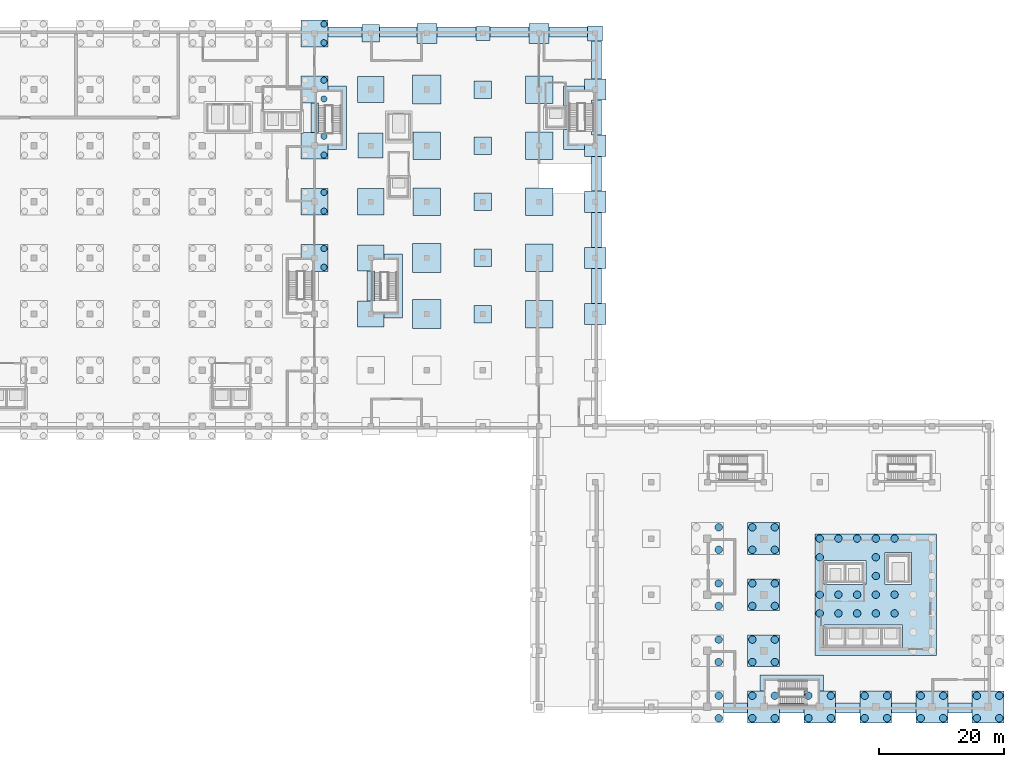
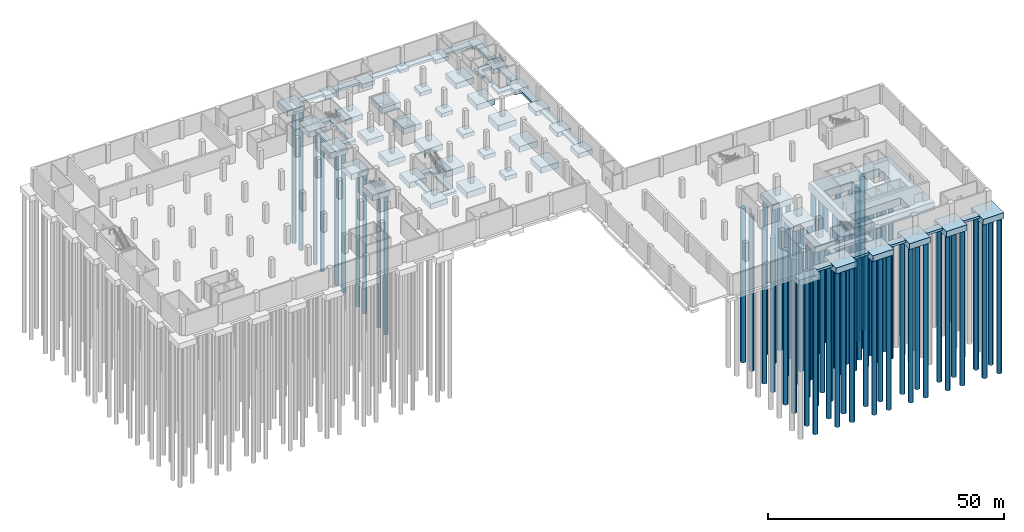
# One storey, part 3 of 17: 68 piles, 65 footings.
"""IFC4 building model written with IfcOpenShell, lengths in metres."""

from ifc_helpers import new_model, si_unit, direction, frame, origin, origin_2d, place, context, subcontext, project, spatial, polyline, rectangle, circle, outline, extrude, material, material_profile, profile_set, type_object, element, save


model = new_model("IFC4")

# Units and contexts
model_context = context("Model", 3, precision=1e-05, world=origin(), true_north=direction((0.0, 1.0)))
body_context = subcontext(model_context, "Body", "Model", "MODEL_VIEW")
ifc_project = project(units=[si_unit("LENGTHUNIT", "METRE"), si_unit("AREAUNIT", "SQUARE_METRE"), si_unit("VOLUMEUNIT", "CUBIC_METRE"), si_unit("PLANEANGLEUNIT", "RADIAN"), si_unit("MASSUNIT", "GRAM", prefix="KILO")], contexts=[model_context])

# Site, building, storey
site_placement = place(None, origin())
site = spatial("IfcSite", under=ifc_project, at=site_placement, CompositionType="ELEMENT")
building_placement = place(site_placement, origin())
building = spatial("IfcBuilding", under=site, at=building_placement, Name="Guidao Yard Department Store", CompositionType="ELEMENT")
storey_placement = place(building_placement, frame((0.0, 0.0, -9.89990234375)))
storey = spatial("IfcBuildingStorey", under=building, at=storey_placement, Name="B2", CompositionType="ELEMENT", Elevation=-9.89990234375)

# Piles
ifc_material_1 = material(Name="Concrete C40", Category="concrete")
ifc_material_profile_1 = material_profile(ifc_material_1, circle(Radius=0.5, at=origin_2d()), Name="Bored pile D1000")
ifc_profile_set_1 = profile_set([ifc_material_profile_1], Name="Concrete C40")
pile_type_1 = type_object("IfcPileType", Name="Bored pile D1000", PredefinedType="BORED", material=ifc_profile_set_1)
for number, where, z_axis, x_axis, name in (
    (1, (64.5, 70.5, -2.0), (0.0, 0.0, -1.0), (1.0, 0.0, 0.0), "Bored pile 8/J-2"),
    (2, (64.5, 73.5, -2.0), (0.0, 0.0, -1.0), (1.0, 0.0, 0.0), "Bored pile 8/J-4"),
    (3, (64.5, 79.5, -2.0), (0.0, 0.0, -1.0), (1.0, 0.0, 0.0), "Bored pile 8/K-2"),
    (4, (64.5, 82.5, -2.0), (0.0, 0.0, -1.0), (1.0, 0.0, 0.0), "Bored pile 8/K-4"),
    (5, (64.5, 88.5, -2.0), (0.0, 0.0, -1.0), (1.0, 0.0, 0.0), "Bored pile 8/L-2"),
    (6, (64.5, 91.5, -2.0), (0.0, 0.0, -1.0), (1.0, 0.0, 0.0), "Bored pile 8/L-4"),
    (7, (64.5, 97.5, -2.0), (0.0, 0.0, -1.0), (1.0, 0.0, 0.0), "Bored pile 8/M-2"),
    (8, (64.5, 100.5, -2.0), (0.0, 0.0, -1.0), (1.0, 0.0, 0.0), "Bored pile 8/M-4"),
    (9, (64.5, 106.5, -2.0), (0.0, 0.0, -1.0), (1.0, 0.0, 0.0), "Bored pile 8/N-2"),
    (10, (64.5, 109.5, -2.0), (0.0, 0.0, -1.0), (1.0, 0.0, 0.0), "Bored pile 8/N-4"),
):
    element("IfcPile", number, at=place(storey_placement, frame(where, z_axis=z_axis, x_axis=x_axis)), inside=storey, type_object=pile_type_1, Name=name, PredefinedType="BORED", context=body_context, shape_type="SweptSolid", body=[
        extrude(circle(Radius=0.5, at=origin_2d()), origin(), (0.0, 0.0, 1.0), 36.0),
    ])
ifc_material_2 = material(Name="Concrete C40", Category="concrete")
ifc_material_profile_2 = material_profile(ifc_material_2, circle(Radius=0.60009765625, at=origin_2d()), Name="Bored pile D1200")
ifc_profile_set_2 = profile_set([ifc_material_profile_2], Name="Concrete C40")
pile_type_2 = type_object("IfcPileType", Name="Bored pile D1200", PredefinedType="BORED", material=ifc_profile_set_2)
for number, where, z_axis, x_axis, name in (
    (11, (127.800048828125, -1.800048828125, -2.0), (0.0, 0.0, -1.0), (1.0, 0.0, 0.0), "Bored pile 15/A-2"),
    (12, (127.800048828125, 1.800048828125, -2.0), (0.0, 0.0, -1.0), (1.0, 0.0, 0.0), "Bored pile 15/A-4"),
    (13, (133.199951171875, -1.800048828125, -2.0), (0.0, 0.0, -1.0), (1.0, 0.0, 0.0), "Bored pile 16/A-1"),
    (14, (136.800048828125, -1.800048828125, -2.0), (0.0, 0.0, -1.0), (1.0, 0.0, 0.0), "Bored pile 16/A-2"),
    (15, (133.199951171875, 1.800048828125, -2.0), (0.0, 0.0, -1.0), (1.0, 0.0, 0.0), "Bored pile 16/A-3"),
    (16, (136.800048828125, 1.800048828125, -2.0), (0.0, 0.0, -1.0), (1.0, 0.0, 0.0), "Bored pile 16/A-4"),
    (17, (142.199951171875, -1.800048828125, -2.0), (0.0, 0.0, -1.0), (1.0, 0.0, 0.0), "Bored pile 17/A-1"),
    (18, (145.800048828125, -1.800048828125, -2.0), (0.0, 0.0, -1.0), (1.0, 0.0, 0.0), "Bored pile 17/A-2"),
    (19, (142.199951171875, 1.800048828125, -2.0), (0.0, 0.0, -1.0), (1.0, 0.0, 0.0), "Bored pile 17/A-3"),
    (20, (145.800048828125, 1.800048828125, -2.0), (0.0, 0.0, -1.0), (1.0, 0.0, 0.0), "Bored pile 17/A-4"),
    (21, (151.199951171875, -1.800048828125, -2.0), (0.0, 0.0, -1.0), (1.0, 0.0, 0.0), "Bored pile 18/A-1"),
    (22, (154.800048828125, -1.800048828125, -2.0), (0.0, 0.0, -1.0), (1.0, 0.0, 0.0), "Bored pile 18/A-2"),
    (23, (151.199951171875, 1.800048828125, -2.0), (0.0, 0.0, -1.0), (1.0, 0.0, 0.0), "Bored pile 18/A-3"),
    (24, (154.800048828125, 1.800048828125, -2.0), (0.0, 0.0, -1.0), (1.0, 0.0, 0.0), "Bored pile 18/A-4"),
    (25, (160.199951171875, -1.800048828125, -2.0), (0.0, 0.0, -1.0), (1.0, 0.0, 0.0), "Bored pile 19/A-1"),
    (26, (163.800048828125, -1.800048828125, -2.0), (0.0, 0.0, -1.0), (1.0, 0.0, 0.0), "Bored pile 19/A-2"),
    (27, (160.199951171875, 1.800048828125, -2.0), (0.0, 0.0, -1.0), (1.0, 0.0, 0.0), "Bored pile 19/A-3"),
    (28, (163.800048828125, 1.800048828125, -2.0), (0.0, 0.0, -1.0), (1.0, 0.0, 0.0), "Bored pile 19/A-4"),
    (29, (169.199951171875, -1.800048828125, -2.0), (0.0, 0.0, -1.0), (1.0, 0.0, 0.0), "Bored pile 20/A-1"),
    (30, (172.800048828125, -1.800048828125, -2.0), (0.0, 0.0, -1.0), (1.0, 0.0, 0.0), "Bored pile 20/A-2"),
    (31, (169.199951171875, 1.800048828125, -2.0), (0.0, 0.0, -1.0), (1.0, 0.0, 0.0), "Bored pile 20/A-3"),
    (32, (172.800048828125, 1.800048828125, -2.0), (0.0, 0.0, -1.0), (1.0, 0.0, 0.0), "Bored pile 20/A-4"),
    (33, (127.800048828125, 7.199951171875, -2.0), (0.0, 0.0, -1.0), (1.0, 0.0, 0.0), "Bored pile 15/B-2"),
    (34, (127.800048828125, 10.800048828125, -2.0), (0.0, 0.0, -1.0), (1.0, 0.0, 0.0), "Bored pile 15/B-4"),
    (35, (133.199951171875, 7.199951171875, -2.0), (0.0, 0.0, -1.0), (1.0, 0.0, 0.0), "Bored pile 16/B-1"),
    (36, (136.800048828125, 7.199951171875, -2.0), (0.0, 0.0, -1.0), (1.0, 0.0, 0.0), "Bored pile 16/B-2"),
    (37, (133.199951171875, 10.800048828125, -2.0), (0.0, 0.0, -1.0), (1.0, 0.0, 0.0), "Bored pile 16/B-3"),
    (38, (136.800048828125, 10.800048828125, -2.0), (0.0, 0.0, -1.0), (1.0, 0.0, 0.0), "Bored pile 16/B-4"),
    (39, (127.800048828125, 16.199951171875, -2.0), (0.0, 0.0, -1.0), (1.0, 0.0, 0.0), "Bored pile 15/C-2"),
    (40, (127.800048828125, 19.800048828125, -2.0), (0.0, 0.0, -1.0), (1.0, 0.0, 0.0), "Bored pile 15/C-4"),
    (41, (133.199951171875, 16.199951171875, -2.0), (0.0, 0.0, -1.0), (1.0, 0.0, 0.0), "Bored pile 16/C-1"),
    (42, (136.800048828125, 16.199951171875, -2.0), (0.0, 0.0, -1.0), (1.0, 0.0, 0.0), "Bored pile 16/C-2"),
    (43, (133.199951171875, 19.800048828125, -2.0), (0.0, 0.0, -1.0), (1.0, 0.0, 0.0), "Bored pile 16/C-3"),
    (44, (136.800048828125, 19.800048828125, -2.0), (0.0, 0.0, -1.0), (1.0, 0.0, 0.0), "Bored pile 16/C-4"),
    (45, (127.800048828125, 25.199951171875, -2.0), (0.0, 0.0, -1.0), (1.0, 0.0, 0.0), "Bored pile 15/D-2"),
    (46, (127.800048828125, 28.800048828125, -2.0), (0.0, 0.0, -1.0), (1.0, 0.0, 0.0), "Bored pile 15/D-4"),
    (47, (133.199951171875, 25.199951171875, -2.0), (0.0, 0.0, -1.0), (1.0, 0.0, 0.0), "Bored pile 16/D-1"),
    (48, (136.800048828125, 25.199951171875, -2.0), (0.0, 0.0, -1.0), (1.0, 0.0, 0.0), "Bored pile 16/D-2"),
    (49, (133.199951171875, 28.800048828125, -2.0), (0.0, 0.0, -1.0), (1.0, 0.0, 0.0), "Bored pile 16/D-3"),
    (50, (136.800048828125, 28.800048828125, -2.0), (0.0, 0.0, -1.0), (1.0, 0.0, 0.0), "Bored pile 16/D-4"),
    (51, (144.0, 15.0, -2.5), (0.0, 0.0, -1.0), (1.0, 0.0, 0.0), "Bored pile R015"),
    (52, (147.0, 15.0, -2.5), (0.0, 0.0, -1.0), (1.0, 0.0, 0.0), "Bored pile R016"),
    (53, (150.0, 15.0, -2.5), (0.0, 0.0, -1.0), (1.0, 0.0, 0.0), "Bored pile R017"),
    (54, (153.0, 15.0, -2.5), (0.0, 0.0, -1.0), (1.0, 0.0, 0.0), "Bored pile R018"),
    (55, (156.0, 15.0, -2.5), (0.0, 0.0, -1.0), (1.0, 0.0, 0.0), "Bored pile R019"),
    (56, (144.0, 18.0, -2.5), (0.0, 0.0, -1.0), (1.0, 0.0, 0.0), "Bored pile R022"),
    (57, (147.0, 18.0, -2.5), (0.0, 0.0, -1.0), (1.0, 0.0, 0.0), "Bored pile R023"),
    (58, (150.0, 18.0, -2.5), (0.0, 0.0, -1.0), (1.0, 0.0, 0.0), "Bored pile R024"),
    (59, (153.0, 18.0, -2.5), (0.0, 0.0, -1.0), (1.0, 0.0, 0.0), "Bored pile R025"),
    (60, (156.0, 18.0, -2.5), (0.0, 0.0, -1.0), (1.0, 0.0, 0.0), "Bored pile R026"),
    (61, (153.0, 21.0, -2.5), (0.0, 0.0, -1.0), (1.0, 0.0, 0.0), "Bored pile R032"),
    (62, (144.0, 24.0, -2.5), (0.0, 0.0, -1.0), (1.0, 0.0, 0.0), "Bored pile R036"),
    (63, (153.0, 24.0, -2.5), (0.0, 0.0, -1.0), (1.0, 0.0, 0.0), "Bored pile R039"),
    (64, (144.0, 27.0, -2.5), (0.0, 0.0, -1.0), (1.0, 0.0, 0.0), "Bored pile R043"),
    (65, (147.0, 27.0, -2.5), (0.0, 0.0, -1.0), (1.0, 0.0, 0.0), "Bored pile R044"),
    (66, (150.0, 27.0, -2.5), (0.0, 0.0, -1.0), (1.0, 0.0, 0.0), "Bored pile R045"),
    (67, (153.0, 27.0, -2.5), (0.0, 0.0, -1.0), (1.0, 0.0, 0.0), "Bored pile R046"),
    (68, (156.0, 27.0, -2.5), (0.0, 0.0, -1.0), (1.0, 0.0, 0.0), "Bored pile R047"),
):
    element("IfcPile", number, at=place(storey_placement, frame(where, z_axis=z_axis, x_axis=x_axis)), inside=storey, type_object=pile_type_2, Name=name, PredefinedType="BORED", context=body_context, shape_type="SweptSolid", body=[
        extrude(circle(Radius=0.60009765625, at=origin_2d()), origin(), (0.0, 0.0, 1.0), 40.0),
    ])

# Footings
ifc_material_3 = material(Name="Concrete C40", Category="concrete")
footing_type_1 = type_object("IfcFootingType", Name="Pad footing 2200x2200x800 C40", PredefinedType="PAD_FOOTING", material=ifc_material_3)
footing_1_placement = place(storey_placement, frame((90.0, 108.0, -1.30029296875), z_axis=(0.0, 0.0, 1.0), x_axis=(1.0, 0.0, 0.0)))
element("IfcFooting", 69, at=footing_1_placement, inside=storey, type_object=footing_type_1, Name="Pad footing 11/N", PredefinedType="PAD_FOOTING", context=body_context, shape_type="SweptSolid", body=[
    extrude(rectangle(XDim=2.199951171875, YDim=2.199951171875, at=origin_2d()), origin(), (0.0, 0.0, 1.0), 0.800048828125),
])
ifc_material_4 = material(Name="Concrete C40", Category="concrete")
footing_type_2 = type_object("IfcFootingType", Name="Pad footing 2400x2400x800 C40", PredefinedType="PAD_FOOTING", material=ifc_material_4)
footing_2_placement = place(storey_placement, frame((108.0, 108.0, -1.30029296875), z_axis=(0.0, 0.0, 1.0), x_axis=(1.0, 0.0, 0.0)))
element("IfcFooting", 70, at=footing_2_placement, inside=storey, type_object=footing_type_2, Name="Pad footing 13/N", PredefinedType="PAD_FOOTING", context=body_context, shape_type="SweptSolid", body=[
    extrude(rectangle(XDim=2.39990234375, YDim=2.39990234375, at=origin_2d()), origin(), (0.0, 0.0, 1.0), 0.800048828125),
])
ifc_material_5 = material(Name="Concrete C40", Category="concrete")
footing_type_3 = type_object("IfcFootingType", Name="Pad footing 2800x2800x1000 C40", PredefinedType="PAD_FOOTING", material=ifc_material_5)
for number, where, z_axis, x_axis, name in (
    (71, (90.0, 63.0, -1.5), (0.0, 0.0, 1.0), (1.0, 0.0, 0.0), "Pad footing 11/H"),
    (72, (90.0, 72.0, -1.5), (0.0, 0.0, 1.0), (1.0, 0.0, 0.0), "Pad footing 11/J"),
    (73, (90.0, 81.0, -1.5), (0.0, 0.0, 1.0), (1.0, 0.0, 0.0), "Pad footing 11/K"),
    (74, (90.0, 90.0, -1.5), (0.0, 0.0, 1.0), (1.0, 0.0, 0.0), "Pad footing 11/L"),
    (75, (90.0, 99.0, -1.5), (0.0, 0.0, 1.0), (1.0, 0.0, 0.0), "Pad footing 11/M"),
    (76, (72.0, 108.0, -1.5), (0.0, 0.0, 1.0), (1.0, 0.0, 0.0), "Pad footing 9/N"),
):
    element("IfcFooting", number, at=place(storey_placement, frame(where, z_axis=z_axis, x_axis=x_axis)), inside=storey, type_object=footing_type_3, Name=name, PredefinedType="PAD_FOOTING", context=body_context, shape_type="SweptSolid", body=[
        extrude(rectangle(XDim=2.800048828125, YDim=2.800048828125, at=origin_2d()), origin(), (0.0, 0.0, 1.0), 1.0),
    ])
ifc_material_6 = material(Name="Concrete C40", Category="concrete")
footing_type_4 = type_object("IfcFootingType", Name="Pad footing 3200x3200x1100 C40", PredefinedType="PAD_FOOTING", material=ifc_material_6)
for number, where, z_axis, x_axis, name in (
    (77, (81.0, 108.0, -1.60009765625), (0.0, 0.0, 1.0), (1.0, 0.0, 0.0), "Pad footing 10/N"),
    (78, (99.0, 108.0, -1.60009765625), (0.0, 0.0, 1.0), (1.0, 0.0, 0.0), "Pad footing 12/N"),
):
    element("IfcFooting", number, at=place(storey_placement, frame(where, z_axis=z_axis, x_axis=x_axis)), inside=storey, type_object=footing_type_4, Name=name, PredefinedType="PAD_FOOTING", context=body_context, shape_type="SweptSolid", body=[
        extrude(rectangle(XDim=3.199951171875, YDim=3.199951171875, at=origin_2d()), origin(), (0.0, 0.0, 1.0), 1.10009765625),
    ])
ifc_material_7 = material(Name="Concrete C40", Category="concrete")
footing_type_5 = type_object("IfcFootingType", Name="Pad footing 3400x3400x1200 C40", PredefinedType="PAD_FOOTING", material=ifc_material_7)
for number, where, z_axis, x_axis, name in (
    (79, (108.0, 63.0, -1.7001953125), (0.0, 0.0, 1.0), (1.0, 0.0, 0.0), "Pad footing 13/H"),
    (80, (108.0, 72.0, -1.7001953125), (0.0, 0.0, 1.0), (1.0, 0.0, 0.0), "Pad footing 13/J"),
    (81, (108.0, 81.0, -1.7001953125), (0.0, 0.0, 1.0), (1.0, 0.0, 0.0), "Pad footing 13/K"),
    (82, (108.0, 90.0, -1.7001953125), (0.0, 0.0, 1.0), (1.0, 0.0, 0.0), "Pad footing 13/L"),
    (83, (108.0, 99.0, -1.7001953125), (0.0, 0.0, 1.0), (1.0, 0.0, 0.0), "Pad footing 13/M"),
):
    element("IfcFooting", number, at=place(storey_placement, frame(where, z_axis=z_axis, x_axis=x_axis)), inside=storey, type_object=footing_type_5, Name=name, PredefinedType="PAD_FOOTING", context=body_context, shape_type="SweptSolid", body=[
        extrude(rectangle(XDim=3.39990234375, YDim=3.39990234375, at=origin_2d()), origin(), (0.0, 0.0, 1.0), 1.199951171875),
    ])
ifc_material_8 = material(Name="Concrete C40", Category="concrete")
footing_type_6 = type_object("IfcFootingType", Name="Pad footing 4000x4000x1400 C40", PredefinedType="PAD_FOOTING", material=ifc_material_8)
footing_3_placement = place(storey_placement, frame((72.0, 90.0, -1.900146484375), z_axis=(0.0, 0.0, 1.0), x_axis=(1.0, 0.0, 0.0)))
element("IfcFooting", 84, at=footing_3_placement, inside=storey, type_object=footing_type_6, Name="Pad footing 9/L", PredefinedType="PAD_FOOTING", context=body_context, shape_type="SweptSolid", body=[
    extrude(rectangle(XDim=4.0, YDim=4.0, at=origin_2d()), origin(), (0.0, 0.0, 1.0), 1.39990234375),
])
ifc_material_9 = material(Name="Concrete C40", Category="concrete")
footing_type_7 = type_object("IfcFootingType", Name="Pad footing 4200x4200x1400 C40", PredefinedType="PAD_FOOTING", material=ifc_material_9)
for number, where, z_axis, x_axis, name in (
    (85, (72.0, 63.0, -1.900146484375), (0.0, 0.0, 1.0), (1.0, 0.0, 0.0), "Pad footing 9/H"),
    (86, (72.0, 72.0, -1.900146484375), (0.0, 0.0, 1.0), (1.0, 0.0, 0.0), "Pad footing 9/J"),
    (87, (72.0, 81.0, -1.900146484375), (0.0, 0.0, 1.0), (1.0, 0.0, 0.0), "Pad footing 9/K"),
    (88, (72.0, 99.0, -1.900146484375), (0.0, 0.0, 1.0), (1.0, 0.0, 0.0), "Pad footing 9/M"),
):
    element("IfcFooting", number, at=place(storey_placement, frame(where, z_axis=z_axis, x_axis=x_axis)), inside=storey, type_object=footing_type_7, Name=name, PredefinedType="PAD_FOOTING", context=body_context, shape_type="SweptSolid", body=[
        extrude(rectangle(XDim=4.199951171875, YDim=4.199951171875, at=origin_2d()), origin(), (0.0, 0.0, 1.0), 1.39990234375),
    ])
ifc_material_10 = material(Name="Concrete C40", Category="concrete")
footing_type_8 = type_object("IfcFootingType", Name="Pad footing 4400x4400x1500 C40", PredefinedType="PAD_FOOTING", material=ifc_material_10)
for number, where, z_axis, x_axis, name in (
    (89, (99.0, 63.0, -2.0), (0.0, 0.0, 1.0), (1.0, 0.0, 0.0), "Pad footing 12/H"),
    (90, (99.0, 72.0, -2.0), (0.0, 0.0, 1.0), (1.0, 0.0, 0.0), "Pad footing 12/J"),
    (91, (81.0, 81.0, -2.0), (0.0, 0.0, 1.0), (1.0, 0.0, 0.0), "Pad footing 10/K"),
    (92, (99.0, 81.0, -2.0), (0.0, 0.0, 1.0), (1.0, 0.0, 0.0), "Pad footing 12/K"),
    (93, (81.0, 90.0, -2.0), (0.0, 0.0, 1.0), (1.0, 0.0, 0.0), "Pad footing 10/L"),
    (94, (99.0, 90.0, -2.0), (0.0, 0.0, 1.0), (1.0, 0.0, 0.0), "Pad footing 12/L"),
    (95, (99.0, 99.0, -2.0), (0.0, 0.0, 1.0), (1.0, 0.0, 0.0), "Pad footing 12/M"),
):
    element("IfcFooting", number, at=place(storey_placement, frame(where, z_axis=z_axis, x_axis=x_axis)), inside=storey, type_object=footing_type_8, Name=name, PredefinedType="PAD_FOOTING", context=body_context, shape_type="SweptSolid", body=[
        extrude(rectangle(XDim=4.39990234375, YDim=4.39990234375, at=origin_2d()), origin(), (0.0, 0.0, 1.0), 1.5),
    ])
ifc_material_11 = material(Name="Concrete C40", Category="concrete")
footing_type_9 = type_object("IfcFootingType", Name="Pad footing 4600x4600x1600 C40", PredefinedType="PAD_FOOTING", material=ifc_material_11)
for number, where, z_axis, x_axis, name in (
    (96, (81.0, 63.0, -2.10009765625), (0.0, 0.0, 1.0), (1.0, 0.0, 0.0), "Pad footing 10/H"),
    (97, (81.0, 72.0, -2.10009765625), (0.0, 0.0, 1.0), (1.0, 0.0, 0.0), "Pad footing 10/J"),
    (98, (81.0, 99.0, -2.10009765625), (0.0, 0.0, 1.0), (1.0, 0.0, 0.0), "Pad footing 10/M"),
):
    element("IfcFooting", number, at=place(storey_placement, frame(where, z_axis=z_axis, x_axis=x_axis)), inside=storey, type_object=footing_type_9, Name=name, PredefinedType="PAD_FOOTING", context=body_context, shape_type="SweptSolid", body=[
        extrude(rectangle(XDim=4.60009765625, YDim=4.60009765625, at=origin_2d()), origin(), (0.0, 0.0, 1.0), 1.60009765625),
    ])
ifc_material_12 = material(Name="Concrete C40", Category="concrete")
footing_type_10 = type_object("IfcFootingType", Name="Pile cap 4300x4300x1500 C40", PredefinedType="PILE_CAP", material=ifc_material_12)
for number, where, z_axis, x_axis, name in (
    (99, (63.0, 72.0, -2.0), (0.0, 0.0, 1.0), (1.0, 0.0, 0.0), "Pile cap 8/J"),
    (100, (63.0, 81.0, -2.0), (0.0, 0.0, 1.0), (1.0, 0.0, 0.0), "Pile cap 8/K"),
):
    element("IfcFooting", number, at=place(storey_placement, frame(where, z_axis=z_axis, x_axis=x_axis)), inside=storey, type_object=footing_type_10, Name=name, PredefinedType="PILE_CAP", context=body_context, shape_type="SweptSolid", body=[
        extrude(rectangle(XDim=4.300048828125, YDim=4.300048828125, at=origin_2d()), origin(), (0.0, 0.0, 1.0), 1.5),
    ])
footing_4_placement = place(storey_placement, frame((0.0, 0.0, -2.0)))
element("IfcFooting", 101, at=footing_4_placement, inside=storey, type_object=footing_type_10, Name="Pile cap 8/L", PredefinedType="PILE_CAP", context=body_context, shape_type="SweptSolid", body=[
    extrude(outline(polyline([(65.14990234375, 92.14990234375), (61.199951171875, 92.14990234375), (61.199951171875, 92.0), (60.85009765625, 92.0), (60.85009765625, 87.85009765625), (65.14990234375, 87.85009765625), (65.14990234375, 92.14990234375)])), origin(), (0.0, 0.0, 1.0), 1.5),
])
for number, where, z_axis, x_axis, name in (
    (102, (63.0, 99.0, -2.0), (0.0, 0.0, 1.0), (1.0, 0.0, 0.0), "Pile cap 8/M"),
    (103, (63.0, 108.0, -2.0), (0.0, 0.0, 1.0), (1.0, 0.0, 0.0), "Pile cap 8/N"),
):
    element("IfcFooting", number, at=place(storey_placement, frame(where, z_axis=z_axis, x_axis=x_axis)), inside=storey, type_object=footing_type_10, Name=name, PredefinedType="PILE_CAP", context=body_context, shape_type="SweptSolid", body=[
        extrude(rectangle(XDim=4.300048828125, YDim=4.300048828125, at=origin_2d()), origin(), (0.0, 0.0, 1.0), 1.5),
    ])
ifc_material_13 = material(Name="Concrete C40", Category="concrete")
footing_type_11 = type_object("IfcFootingType", Name="Pile cap 5100x5100x1500 C40", PredefinedType="PILE_CAP", material=ifc_material_13)
for number, where, z_axis, x_axis, name in (
    (104, (135.0, 0.0, -2.0), (0.0, 0.0, 1.0), (1.0, 0.0, 0.0), "Pile cap 16/A"),
    (105, (144.0, 0.0, -2.0), (0.0, 0.0, 1.0), (1.0, 0.0, 0.0), "Pile cap 17/A"),
    (106, (153.0, 0.0, -2.0), (0.0, 0.0, 1.0), (1.0, 0.0, 0.0), "Pile cap 18/A"),
    (107, (162.0, 0.0, -2.0), (0.0, 0.0, 1.0), (1.0, 0.0, 0.0), "Pile cap 19/A"),
    (108, (171.0, 0.0, -2.0), (0.0, 0.0, 1.0), (1.0, 0.0, 0.0), "Pile cap 20/A"),
    (109, (135.0, 9.0, -2.0), (0.0, 0.0, 1.0), (1.0, 0.0, 0.0), "Pile cap 16/B"),
    (110, (135.0, 18.0, -2.0), (0.0, 0.0, 1.0), (1.0, 0.0, 0.0), "Pile cap 16/C"),
    (111, (135.0, 27.0, -2.0), (0.0, 0.0, 1.0), (1.0, 0.0, 0.0), "Pile cap 16/D"),
):
    element("IfcFooting", number, at=place(storey_placement, frame(where, z_axis=z_axis, x_axis=x_axis)), inside=storey, type_object=footing_type_11, Name=name, PredefinedType="PILE_CAP", context=body_context, shape_type="SweptSolid", body=[
        extrude(rectangle(XDim=5.10009765625, YDim=5.10009765625, at=origin_2d()), origin(), (0.0, 0.0, 1.0), 1.5),
    ])
ifc_material_14 = material(Name="Concrete C40", Category="concrete")
footing_type_12 = type_object("IfcFootingType", Name="Raft cap 19500x19500x2000 C40", PredefinedType="PILE_CAP", material=ifc_material_14)
footing_5_placement = place(storey_placement, frame((0.0, 0.0, -2.5)))
element("IfcFooting", 112, at=footing_5_placement, inside=storey, type_object=footing_type_12, Name="Office core raft cap", PredefinedType="PILE_CAP", context=body_context, shape_type="SweptSolid", body=[
    extrude(outline(polyline([(143.25, 8.25), (162.75, 8.25), (162.75, 27.75), (143.25, 27.75), (143.25, 8.25)]), holes=[polyline([(144.64990234375, 13.14990234375), (147.60009765625, 13.14990234375), (148.449951171875, 13.14990234375), (150.550048828125, 13.14990234375), (151.39990234375, 13.14990234375), (153.5, 13.14990234375), (154.35009765625, 13.14990234375), (157.300048828125, 13.14990234375), (157.300048828125, 9.35009765625), (154.35009765625, 9.35009765625), (153.5, 9.35009765625), (151.39990234375, 9.35009765625), (150.550048828125, 9.35009765625), (148.449951171875, 9.35009765625), (147.60009765625, 9.35009765625), (144.64990234375, 9.35009765625), (144.64990234375, 13.14990234375)]), polyline([(144.64990234375, 23.449951171875), (147.60009765625, 23.449951171875), (148.449951171875, 23.449951171875), (151.39990234375, 23.449951171875), (151.39990234375, 19.64990234375), (148.449951171875, 19.64990234375), (147.60009765625, 19.64990234375), (144.64990234375, 19.64990234375), (144.64990234375, 23.449951171875)]), polyline([(158.75, 24.75), (158.75, 19.64990234375), (154.449951171875, 19.64990234375), (154.449951171875, 24.75), (158.75, 24.75)])]), origin(), (0.0, 0.0, 1.0), 2.0),
])
ifc_material_15 = material(Name="Concrete C40", Category="concrete")
footing_type_13 = type_object("IfcFootingType", Name="Strip footing 1200x600 C40", PredefinedType="STRIP_FOOTING", material=ifc_material_15)
footing_6_placement = place(storey_placement, frame((0.0, 0.0, -1.10009765625)))
element("IfcFooting", 113, at=footing_6_placement, inside=storey, type_object=footing_type_13, Name="Strip footing SF10", PredefinedType="STRIP_FOOTING", context=body_context, shape_type="SweptSolid", body=[
    extrude(outline(polyline([(143.39990234375, 3.89990234375), (143.39990234375, 2.550048828125), (144.60009765625, 2.550048828125), (144.60009765625, 5.10009765625), (134.39990234375, 5.10009765625), (134.39990234375, 2.550048828125), (135.60009765625, 2.550048828125), (135.60009765625, 3.89990234375), (143.39990234375, 3.89990234375)])), origin(), (0.0, 0.0, 1.0), 0.60009765625),
])
footing_7_placement = place(storey_placement, frame((0.0, 0.0, -1.10009765625)))
element("IfcFooting", 114, at=footing_7_placement, inside=storey, type_object=footing_type_13, Name="Strip footing SF50", PredefinedType="STRIP_FOOTING", context=body_context, shape_type="SweptSolid", body=[
    extrude(outline(polyline([(77.10009765625, 72.60009765625), (74.10009765625, 72.60009765625), (74.10009765625, 71.39990234375), (75.89990234375, 71.39990234375), (75.89990234375, 63.60009765625), (74.10009765625, 63.60009765625), (74.10009765625, 62.39990234375), (77.10009765625, 62.39990234375), (77.10009765625, 72.60009765625)])), origin(), (0.0, 0.0, 1.0), 0.60009765625),
])
footing_8_placement = place(storey_placement, frame((0.0, 0.0, -1.10009765625)))
element("IfcFooting", 115, at=footing_8_placement, inside=storey, type_object=footing_type_13, Name="Strip footing SF52", PredefinedType="STRIP_FOOTING", context=body_context, shape_type="SweptSolid", body=[
    extrude(outline(polyline([(71.39990234375, 69.89990234375), (71.39990234375, 65.10009765625), (72.60009765625, 65.10009765625), (72.60009765625, 69.89990234375), (71.39990234375, 69.89990234375)])), origin(), (0.0, 0.0, 1.0), 0.60009765625),
])
footing_9_placement = place(storey_placement, frame((0.0, 0.0, -1.10009765625)))
element("IfcFooting", 116, at=footing_9_placement, inside=storey, type_object=footing_type_13, Name="Strip footing SF60", PredefinedType="STRIP_FOOTING", context=body_context, shape_type="SweptSolid", body=[
    extrude(outline(polyline([(68.10009765625, 99.60009765625), (65.14990234375, 99.60009765625), (65.14990234375, 98.39990234375), (66.89990234375, 98.39990234375), (66.89990234375, 90.60009765625), (65.14990234375, 90.60009765625), (65.14990234375, 89.39990234375), (68.10009765625, 89.39990234375), (68.10009765625, 99.60009765625)])), origin(), (0.0, 0.0, 1.0), 0.60009765625),
])
footing_10_placement = place(storey_placement, frame((0.0, 0.0, -1.10009765625)))
element("IfcFooting", 117, at=footing_10_placement, inside=storey, type_object=footing_type_13, Name="Strip footing SF61", PredefinedType="STRIP_FOOTING", context=body_context, shape_type="SweptSolid", body=[
    extrude(outline(polyline([(103.550048828125, 92.60009765625), (102.89990234375, 92.60009765625), (102.89990234375, 89.39990234375), (106.300048828125, 89.39990234375), (106.300048828125, 90.60009765625), (104.10009765625, 90.60009765625), (104.10009765625, 98.39990234375), (106.300048828125, 98.39990234375), (106.300048828125, 99.60009765625), (102.89990234375, 99.60009765625), (102.89990234375, 96.39990234375), (103.550048828125, 96.39990234375), (103.550048828125, 92.60009765625)])), origin(), (0.0, 0.0, 1.0), 0.60009765625),
])
footing_11_placement = place(storey_placement, frame((0.0, 0.0, -1.10009765625)))
element("IfcFooting", 118, at=footing_11_placement, inside=storey, type_object=footing_type_13, Name="Strip footing SF64", PredefinedType="STRIP_FOOTING", context=body_context, shape_type="SweptSolid", body=[
    extrude(outline(polyline([(62.39990234375, 96.85009765625), (62.39990234375, 92.14990234375), (63.60009765625, 92.14990234375), (63.60009765625, 96.85009765625), (62.39990234375, 96.85009765625)])), origin(), (0.0, 0.0, 1.0), 0.60009765625),
])
ifc_material_16 = material(Name="Concrete C40", Category="concrete")
footing_type_14 = type_object("IfcFootingType", Name="Strip footing 1600x600 C40", PredefinedType="STRIP_FOOTING", material=ifc_material_16)
footing_12_placement = place(storey_placement, frame((0.0, 0.0, -1.10009765625)))
element("IfcFooting", 119, at=footing_12_placement, inside=storey, type_object=footing_type_14, Name="Strip footing SF03", PredefinedType="STRIP_FOOTING", context=body_context, shape_type="SweptSolid", body=[
    extrude(outline(polyline([(128.550048828125, -1.0), (132.449951171875, -1.0), (132.449951171875, 0.60009765625), (128.550048828125, 0.60009765625), (128.550048828125, -1.0)])), origin(), (0.0, 0.0, 1.0), 0.60009765625),
])
footing_13_placement = place(storey_placement, frame((0.0, 0.0, -1.10009765625)))
element("IfcFooting", 120, at=footing_13_placement, inside=storey, type_object=footing_type_14, Name="Strip footing SF04", PredefinedType="STRIP_FOOTING", context=body_context, shape_type="SweptSolid", body=[
    extrude(outline(polyline([(141.449951171875, 0.60009765625), (137.550048828125, 0.60009765625), (137.550048828125, -1.0), (141.449951171875, -1.0), (141.449951171875, 0.60009765625)])), origin(), (0.0, 0.0, 1.0), 0.60009765625),
])
footing_14_placement = place(storey_placement, frame((0.0, 0.0, -1.10009765625)))
element("IfcFooting", 121, at=footing_14_placement, inside=storey, type_object=footing_type_14, Name="Strip footing SF05", PredefinedType="STRIP_FOOTING", context=body_context, shape_type="SweptSolid", body=[
    extrude(outline(polyline([(146.550048828125, -1.0), (150.449951171875, -1.0), (150.449951171875, 0.60009765625), (146.550048828125, 0.60009765625), (146.550048828125, -1.0)])), origin(), (0.0, 0.0, 1.0), 0.60009765625),
])
footing_15_placement = place(storey_placement, frame((0.0, 0.0, -1.10009765625)))
element("IfcFooting", 122, at=footing_15_placement, inside=storey, type_object=footing_type_14, Name="Strip footing SF06", PredefinedType="STRIP_FOOTING", context=body_context, shape_type="SweptSolid", body=[
    extrude(outline(polyline([(155.550048828125, -1.0), (159.449951171875, -1.0), (159.449951171875, 0.60009765625), (155.550048828125, 0.60009765625), (155.550048828125, -1.0)])), origin(), (0.0, 0.0, 1.0), 0.60009765625),
])
footing_16_placement = place(storey_placement, frame((0.0, 0.0, -1.10009765625)))
element("IfcFooting", 123, at=footing_16_placement, inside=storey, type_object=footing_type_14, Name="Strip footing SF07", PredefinedType="STRIP_FOOTING", context=body_context, shape_type="SweptSolid", body=[
    extrude(outline(polyline([(164.550048828125, -1.0), (168.449951171875, -1.0), (168.449951171875, 0.60009765625), (164.550048828125, 0.60009765625), (164.550048828125, -1.0)])), origin(), (0.0, 0.0, 1.0), 0.60009765625),
])
footing_17_placement = place(storey_placement, frame((0.0, 0.0, -1.10009765625)))
element("IfcFooting", 124, at=footing_17_placement, inside=storey, type_object=footing_type_14, Name="Strip footing SF51", PredefinedType="STRIP_FOOTING", context=body_context, shape_type="SweptSolid", body=[
    extrude(outline(polyline([(109.0, 64.699951171875), (109.0, 70.300048828125), (107.39990234375, 70.300048828125), (107.39990234375, 64.699951171875), (109.0, 64.699951171875)])), origin(), (0.0, 0.0, 1.0), 0.60009765625),
])
footing_18_placement = place(storey_placement, frame((0.0, 0.0, -1.10009765625)))
element("IfcFooting", 125, at=footing_18_placement, inside=storey, type_object=footing_type_14, Name="Strip footing SF56", PredefinedType="STRIP_FOOTING", context=body_context, shape_type="SweptSolid", body=[
    extrude(outline(polyline([(109.0, 73.699951171875), (109.0, 79.300048828125), (107.39990234375, 79.300048828125), (107.39990234375, 73.699951171875), (109.0, 73.699951171875)])), origin(), (0.0, 0.0, 1.0), 0.60009765625),
])
footing_19_placement = place(storey_placement, frame((0.0, 0.0, -1.10009765625)))
element("IfcFooting", 126, at=footing_19_placement, inside=storey, type_object=footing_type_14, Name="Strip footing SF58", PredefinedType="STRIP_FOOTING", context=body_context, shape_type="SweptSolid", body=[
    extrude(outline(polyline([(109.0, 82.699951171875), (109.0, 88.300048828125), (107.39990234375, 88.300048828125), (107.39990234375, 82.699951171875), (109.0, 82.699951171875)])), origin(), (0.0, 0.0, 1.0), 0.60009765625),
])
footing_20_placement = place(storey_placement, frame((0.0, 0.0, -1.10009765625)))
element("IfcFooting", 127, at=footing_20_placement, inside=storey, type_object=footing_type_14, Name="Strip footing SF62", PredefinedType="STRIP_FOOTING", context=body_context, shape_type="SweptSolid", body=[
    extrude(outline(polyline([(109.0, 91.699951171875), (109.0, 97.300048828125), (107.39990234375, 97.300048828125), (107.39990234375, 91.699951171875), (109.0, 91.699951171875)])), origin(), (0.0, 0.0, 1.0), 0.60009765625),
])
footing_21_placement = place(storey_placement, frame((0.0, 0.0, -1.10009765625)))
element("IfcFooting", 128, at=footing_21_placement, inside=storey, type_object=footing_type_14, Name="Strip footing SF65", PredefinedType="STRIP_FOOTING", context=body_context, shape_type="SweptSolid", body=[
    extrude(outline(polyline([(109.0, 100.699951171875), (109.0, 106.800048828125), (107.39990234375, 106.800048828125), (107.39990234375, 100.699951171875), (109.0, 100.699951171875)])), origin(), (0.0, 0.0, 1.0), 0.60009765625),
])
footing_22_placement = place(storey_placement, frame((0.0, 0.0, -1.10009765625)))
element("IfcFooting", 129, at=footing_22_placement, inside=storey, type_object=footing_type_14, Name="Strip footing SF74", PredefinedType="STRIP_FOOTING", context=body_context, shape_type="SweptSolid", body=[
    extrude(outline(polyline([(65.14990234375, 107.39990234375), (70.60009765625, 107.39990234375), (70.60009765625, 109.0), (65.14990234375, 109.0), (65.14990234375, 107.39990234375)])), origin(), (0.0, 0.0, 1.0), 0.60009765625),
])
footing_23_placement = place(storey_placement, frame((0.0, 0.0, -1.10009765625)))
element("IfcFooting", 130, at=footing_23_placement, inside=storey, type_object=footing_type_14, Name="Strip footing SF75", PredefinedType="STRIP_FOOTING", context=body_context, shape_type="SweptSolid", body=[
    extrude(outline(polyline([(79.39990234375, 109.0), (73.39990234375, 109.0), (73.39990234375, 107.39990234375), (79.39990234375, 107.39990234375), (79.39990234375, 109.0)])), origin(), (0.0, 0.0, 1.0), 0.60009765625),
])
footing_24_placement = place(storey_placement, frame((0.0, 0.0, -1.10009765625)))
element("IfcFooting", 131, at=footing_24_placement, inside=storey, type_object=footing_type_14, Name="Strip footing SF76", PredefinedType="STRIP_FOOTING", context=body_context, shape_type="SweptSolid", body=[
    extrude(outline(polyline([(82.60009765625, 107.39990234375), (88.89990234375, 107.39990234375), (88.89990234375, 109.0), (82.60009765625, 109.0), (82.60009765625, 107.39990234375)])), origin(), (0.0, 0.0, 1.0), 0.60009765625),
])
footing_25_placement = place(storey_placement, frame((0.0, 0.0, -1.10009765625)))
element("IfcFooting", 132, at=footing_25_placement, inside=storey, type_object=footing_type_14, Name="Strip footing SF77", PredefinedType="STRIP_FOOTING", context=body_context, shape_type="SweptSolid", body=[
    extrude(outline(polyline([(91.10009765625, 107.39990234375), (97.39990234375, 107.39990234375), (97.39990234375, 109.0), (91.10009765625, 109.0), (91.10009765625, 107.39990234375)])), origin(), (0.0, 0.0, 1.0), 0.60009765625),
])
footing_26_placement = place(storey_placement, frame((0.0, 0.0, -1.10009765625)))
element("IfcFooting", 133, at=footing_26_placement, inside=storey, type_object=footing_type_14, Name="Strip footing SF78", PredefinedType="STRIP_FOOTING", context=body_context, shape_type="SweptSolid", body=[
    extrude(outline(polyline([(100.60009765625, 107.39990234375), (106.800048828125, 107.39990234375), (106.800048828125, 109.0), (100.60009765625, 109.0), (100.60009765625, 107.39990234375)])), origin(), (0.0, 0.0, 1.0), 0.60009765625),
])

save(model, "model.ifc")
